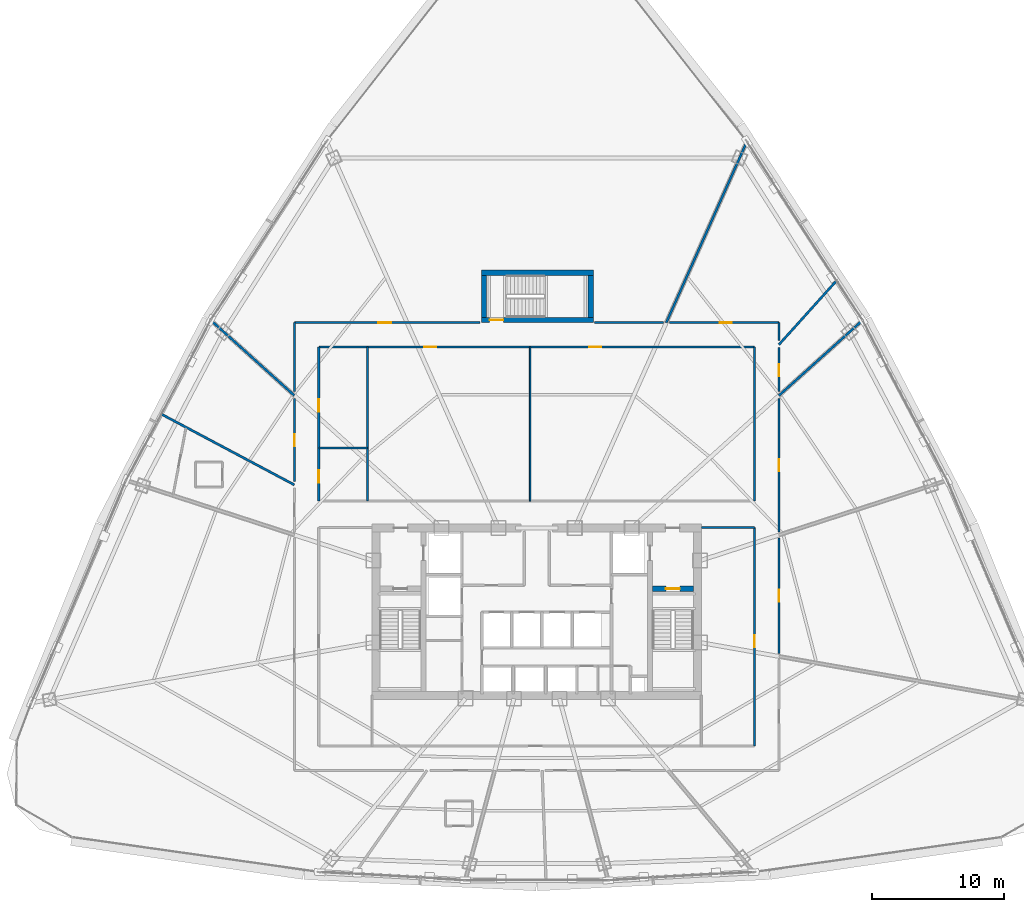
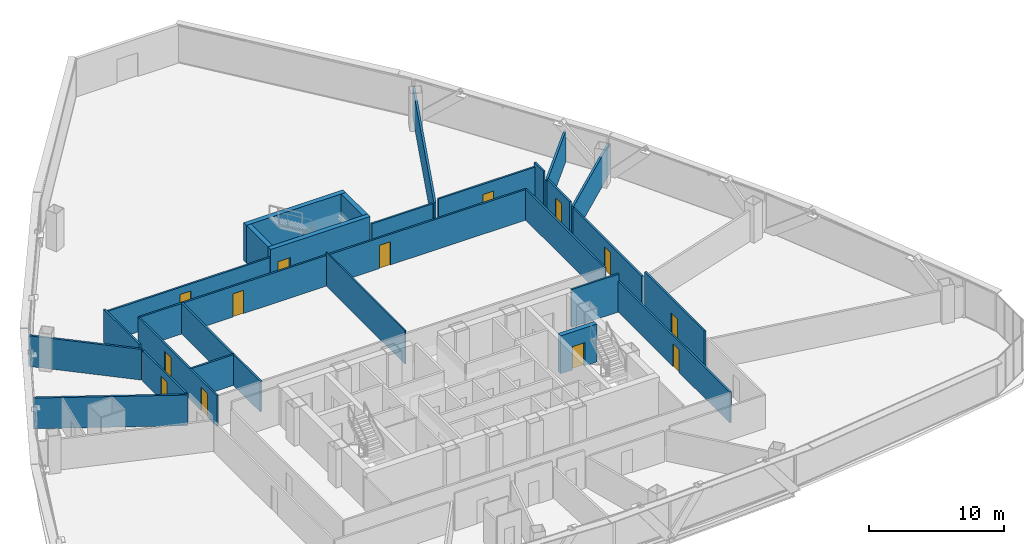
# One storey, part 35 of 40: 27 walls, 13 doors, 13 openings.
"""IFC4 building model written with IfcOpenShell, lengths in metres."""

import ifcopenshell
import ifcopenshell.guid

model = None  # the IFC model being written
_history = None  # IfcOwnerHistory: only IFC2X3 demands one
_inside = {}  # id of a spatial element -> (the spatial element, [elements in it])
_under = {}  # id of a project, library or spatial element -> (it, [spatial elements below it])
_declared = {}  # id of a project -> (the project, [libraries it declares])
_typed = {}  # id of a type object -> (the type object, [elements of that type])
_made_of = {}  # id of a material, layer set ... -> (it, [elements and type objects made of it])


def new_model(schema):
    """Start an empty IFC model of exactly this schema.

    Asked for "IFC4X3", IfcOpenShell would pick the latest addendum, in which some entities
    have other attributes; the version numbers below select the first issue.
    IFC2X3 requires an IfcOwnerHistory on every rooted entity: one is made here for all.
    """
    global model, _history
    if schema == "IFC4X3":
        model = ifcopenshell.file(schema_version=(4, 3, 0, 0))
    else:
        model = ifcopenshell.file(schema=schema)
    _inside.clear()
    _under.clear()
    _declared.clear()
    _typed.clear()
    _made_of.clear()
    _history = None
    if model.schema == "IFC2X3":
        org = make("IfcOrganization", Name="unknown")
        user = make(
            "IfcPersonAndOrganization",
            ThePerson=make("IfcPerson", FamilyName="unknown"),
            TheOrganization=org,
        )
        app = make(
            "IfcApplication",
            ApplicationDeveloper=org,
            Version="unknown",
            ApplicationFullName="unknown",
            ApplicationIdentifier="unknown",
        )
        _history = make(
            "IfcOwnerHistory",
            OwningUser=user,
            OwningApplication=app,
            ChangeAction="ADDED",
            CreationDate=0,
        )
    return model


def make(cls, **values):
    """One entity of the class cls with the attributes given. An attribute that is None is left unset."""
    return model.create_entity(
        cls, **{name: value for name, value in values.items() if value is not None}
    )


def rooted(cls, **values):
    """An entity with a GlobalId (a new one), such as an element, a storey or a relation."""
    return make(cls, GlobalId=ifcopenshell.guid.new(), OwnerHistory=_history, **values)


def si_unit(unit_type, name, prefix=None):
    """IfcSIUnit, for example si_unit("LENGTHUNIT", "METRE", prefix="MILLI")."""
    return make("IfcSIUnit", UnitType=unit_type, Prefix=prefix, Name=name)


def assignment(units):
    """IfcUnitAssignment: the units of a project."""
    return None if units is None else make("IfcUnitAssignment", Units=units)


def point(xyz):
    """IfcCartesianPoint."""
    return None if xyz is None else make("IfcCartesianPoint", Coordinates=xyz)


def direction(xyz):
    """IfcDirection."""
    return None if xyz is None else make("IfcDirection", DirectionRatios=xyz)


def frame(location, z_axis=None, x_axis=None):
    """IfcAxis2Placement3D, a coordinate frame: its origin and axes. An axis left out is left unset."""
    return make(
        "IfcAxis2Placement3D",
        Location=point(location),
        Axis=direction(z_axis),
        RefDirection=direction(x_axis),
    )


def frame_2d(location, x_axis=None):
    """IfcAxis2Placement2D, a coordinate frame in the plane: its origin and x axis."""
    return make(
        "IfcAxis2Placement2D", Location=point(location), RefDirection=direction(x_axis)
    )


def origin():
    """The frame at (0, 0, 0) with its axes left unset."""
    return frame((0.0, 0.0, 0.0))


def origin_with_axes():
    """The frame at (0, 0, 0) with the z axis (0, 0, 1) and the x axis (1, 0, 0) written out."""
    return frame((0.0, 0.0, 0.0), z_axis=(0.0, 0.0, 1.0), x_axis=(1.0, 0.0, 0.0))


def place(relative_to, where):
    """IfcLocalPlacement: puts the frame where relative to a parent placement (None: the world)."""
    return make(
        "IfcLocalPlacement", PlacementRelTo=relative_to, RelativePlacement=where
    )


def context(
    kind, dimensions, precision=None, world=None, true_north=None, identifier=None
):
    """IfcGeometricRepresentationContext, for example the 3D "Model" context."""
    return make(
        "IfcGeometricRepresentationContext",
        ContextIdentifier=identifier,
        ContextType=kind,
        CoordinateSpaceDimension=dimensions,
        Precision=precision,
        WorldCoordinateSystem=world,
        TrueNorth=true_north,
    )


def subcontext(parent, identifier, kind, view, scale=None):
    """IfcGeometricRepresentationSubContext, for example "Body" below "Model"."""
    return make(
        "IfcGeometricRepresentationSubContext",
        ContextIdentifier=identifier,
        ContextType=kind,
        ParentContext=parent,
        TargetScale=scale,
        TargetView=view,
    )


def project(units=None, contexts=None):
    """IfcProject with its units and contexts."""
    return rooted(
        "IfcProject",
        Name="project",
        RepresentationContexts=contexts,
        UnitsInContext=assignment(units),
    )


def spatial(cls, under=None, at=None, **own):
    """A site, building, storey or space (cls), placed at a placement, below another one or the project."""
    s = rooted(cls, ObjectPlacement=at, **own)
    if under is not None:
        _under.setdefault(under.id(), (under, []))[1].append(s)
    return s


def profile(cls, at=None, kind="AREA", **sizes):
    """A parametric profile (cls). Its sizes go by their IFC names, for example OverallWidth=200.0."""
    return make(cls, ProfileType=kind, Position=at, **sizes)


def rectangle(**sizes):
    """IfcRectangleProfileDef."""
    return profile("IfcRectangleProfileDef", **sizes)


def extrude(swept, where, along, depth):
    """IfcExtrudedAreaSolid: the profile swept, set in the frame where, extruded along a direction by depth."""
    return make(
        "IfcExtrudedAreaSolid",
        SweptArea=swept,
        Position=where,
        ExtrudedDirection=direction(along),
        Depth=depth,
    )


def shape(context_of_items, identifier, shape_type, items):
    """IfcShapeRepresentation: the items that make up one representation, for example the "Body"."""
    return make(
        "IfcShapeRepresentation",
        ContextOfItems=context_of_items,
        RepresentationIdentifier=identifier,
        RepresentationType=shape_type,
        Items=items,
    )


def source(mapping_origin, context_of_items, identifier, shape_type, items):
    """IfcRepresentationMap: a shape defined once, which mapped items show again and again."""
    return make(
        "IfcRepresentationMap",
        MappingOrigin=mapping_origin,
        MappedRepresentation=shape(context_of_items, identifier, shape_type, items),
    )


def transform(
    local_origin,
    x_axis=None,
    y_axis=None,
    z_axis=None,
    scale=None,
    scale2=None,
    scale3=None,
    uniform=True,
):
    """IfcCartesianTransformationOperator3D, or its non-uniform kind. x_axis, y_axis, z_axis: its Axis1, 2, 3."""
    if uniform:
        return make(
            "IfcCartesianTransformationOperator3D",
            Axis1=direction(x_axis),
            Axis2=direction(y_axis),
            LocalOrigin=point(local_origin),
            Scale=scale,
            Axis3=direction(z_axis),
        )
    return make(
        "IfcCartesianTransformationOperator3DnonUniform",
        Axis1=direction(x_axis),
        Axis2=direction(y_axis),
        LocalOrigin=point(local_origin),
        Scale=scale,
        Axis3=direction(z_axis),
        Scale2=scale2,
        Scale3=scale3,
    )


def mapped(mapping_source, mapping_target):
    """IfcMappedItem: shows the shape of a source again, moved by a transform."""
    return make(
        "IfcMappedItem", MappingSource=mapping_source, MappingTarget=mapping_target
    )


def material(Name=None, Category=None):
    """IfcMaterial."""
    return make("IfcMaterial", Name=Name, Category=Category)


def layer(
    of_material, thickness, ventilated=None, Name=None, Category=None, Priority=None
):
    """IfcMaterialLayer: one layer of a wall or slab, of a material (None: an air gap)."""
    return make(
        "IfcMaterialLayer",
        Material=of_material,
        LayerThickness=thickness,
        IsVentilated=ventilated,
        Name=Name,
        Category=Category,
        Priority=Priority,
    )


def layer_set(layers, Name=None):
    """IfcMaterialLayerSet."""
    return make("IfcMaterialLayerSet", MaterialLayers=layers, LayerSetName=Name)


def made_of(thing, what):
    """Note that an element or type object is made of a material, layer set ...; save() writes the relation."""
    if what is not None:
        _made_of.setdefault(what.id(), (what, []))[1].append(thing)
    return thing


def type_object(cls, material=None, **own):
    """A type object (cls), such as IfcWallType, which elements share."""
    return made_of(rooted(cls, **own), material)


def element(
    cls,
    number,
    at=None,
    inside=None,
    cuts=None,
    type_object=None,
    material=None,
    context=None,
    identifier="Body",
    shape_type=None,
    held_by="IfcProductDefinitionShape",
    body=None,
    shapes=None,
    **own,
):
    """One element of the class cls, such as IfcWall. Its Tag is "e" and its number.

    at: its placement. inside: the storey or other place that contains it. cuts: it is an
    opening in that element (IfcRelVoidsElement). A single representation is given by context,
    identifier, shape_type and body (its items); several are given by shapes. held_by: the class
    of the entity that holds the representations. save() writes the other relations.
    """
    e = rooted(cls, Tag="e%d" % number, ObjectPlacement=at, **own)
    if body is not None:
        shapes = [shape(context, identifier, shape_type, body)]
    if shapes is not None:
        e.Representation = make(held_by, Representations=shapes)
    if inside is not None:
        _inside.setdefault(inside.id(), (inside, []))[1].append(e)
    if cuts is not None:
        rooted(
            "IfcRelVoidsElement", RelatingBuildingElement=cuts, RelatedOpeningElement=e
        )
    if type_object is not None:
        _typed.setdefault(type_object.id(), (type_object, []))[1].append(e)
    return made_of(e, material)


def fill(opening, filler):
    """IfcRelFillsElement: the door or window that sits in an opening."""
    return rooted(
        "IfcRelFillsElement",
        RelatingOpeningElement=opening,
        RelatedBuildingElement=filler,
    )


def aggregate(whole, parts):
    """IfcRelAggregates: a whole, such as a stair, and the parts it consists of."""
    return rooted("IfcRelAggregates", RelatingObject=whole, RelatedObjects=parts)


def save(model, path):
    """Write the relations noted so far, then the file.

    IfcRelAggregates (storeys below a building ...), IfcRelContainedInSpatialStructure (elements
    in a storey), IfcRelDefinesByType, IfcRelAssociatesMaterial and IfcRelDeclares: one each for
    every whole, place, type object, material and project.
    """
    for whole, parts in _under.values():
        aggregate(whole, parts)
    for where, things in _inside.values():
        rooted(
            "IfcRelContainedInSpatialStructure",
            RelatedElements=things,
            RelatingStructure=where,
        )
    for kind, things in _typed.values():
        rooted("IfcRelDefinesByType", RelatedObjects=things, RelatingType=kind)
    for what, things in _made_of.values():
        rooted("IfcRelAssociatesMaterial", RelatedObjects=things, RelatingMaterial=what)
    for by, libraries in _declared.values():
        rooted("IfcRelDeclares", RelatingContext=by, RelatedDefinitions=libraries)
    model.write(path)


model = new_model("IFC4")

# Units and contexts
model_context = context("Model", 3, precision=1e-05, world=origin(), true_north=direction((0.0, 1.0)))
body_context = subcontext(model_context, "Body", "Model", "MODEL_VIEW")
ifc_project = project(units=[si_unit("LENGTHUNIT", "METRE"), si_unit("AREAUNIT", "SQUARE_METRE"), si_unit("VOLUMEUNIT", "CUBIC_METRE"), si_unit("PLANEANGLEUNIT", "RADIAN"), si_unit("MASSUNIT", "GRAM", prefix="KILO"), si_unit("THERMODYNAMICTEMPERATUREUNIT", "KELVIN"), si_unit("POWERUNIT", "WATT")], contexts=[model_context])

# Site, building, storey
site_placement = place(None, origin())
site = spatial("IfcSite", under=ifc_project, at=site_placement, CompositionType="ELEMENT")
building_placement = place(site_placement, origin())
building = spatial("IfcBuilding", under=site, at=building_placement, Name="Yunzhuo Pagoda Commons", CompositionType="ELEMENT")
storey_placement = place(building_placement, frame((0.0, 0.0, 159.27001953125)))
storey = spatial("IfcBuildingStorey", under=building, at=storey_placement, Name="L40", CompositionType="ELEMENT", Elevation=159.27001953125)

# Wall, openings, doors
ifc_material_1 = material(Name="Gypsum plasterboard on acoustic stud")
ifc_layer_1 = layer(ifc_material_1, 0.155029296875)
ifc_layer_set_1 = layer_set([ifc_layer_1], Name="Gypsum plasterboard on acoustic stud")
wall_type_1 = type_object("IfcWallType", Name="W-COR2 Mid-Zone Rated Corridor Wall 155", PredefinedType="PARTITIONING", material=ifc_layer_set_1)
wall_1_placement = place(storey_placement, frame((31.449951171875, 53.949951171875, 0.0), z_axis=(0.0, 0.0, 1.0), x_axis=(1.0, 0.0, 0.0)))
wall_1 = element("IfcWall", 1, at=wall_1_placement, inside=storey, type_object=wall_type_1, Name="L40 interior wall IW-L40-MCNN", PredefinedType="PARTITIONING", context=body_context, shape_type="SweptSolid", body=[
    extrude(rectangle(XDim=33.10009765625, YDim=0.155029296875, at=frame_2d((16.550048828125, 0.0))), origin(), (0.0, 0.0, 1.0), 2.77001953125),
])
opening_1_placement = place(wall_1_placement, frame((8.0, 0.0, 0.0)))
opening_1 = element("IfcOpeningElement", 2, at=opening_1_placement, cuts=wall_1, Name="Opening D-04", PredefinedType="OPENING", context=body_context, shape_type="SweptSolid", body=[
    extrude(rectangle(XDim=0.919921875, YDim=2.10009765625, at=frame_2d((0.4599609375, 1.050048828125))), frame((0.0, 0.08740234375, 0.0), z_axis=(0.0, -1.0, 0.0), x_axis=(1.0, 0.0, 0.0)), (0.0, 0.0, 1.0), 0.175048828125),
])
opening_2_placement = place(wall_1_placement, frame((20.550048828125, 0.0, 0.0)))
opening_2 = element("IfcOpeningElement", 3, at=opening_2_placement, cuts=wall_1, Name="Opening D-04", PredefinedType="OPENING", context=body_context, shape_type="SweptSolid", body=[
    extrude(rectangle(XDim=0.919921875, YDim=2.10009765625, at=frame_2d((0.4599609375, 1.050048828125))), frame((0.0, 0.08740234375, 0.0), z_axis=(0.0, -1.0, 0.0), x_axis=(1.0, 0.0, 0.0)), (0.0, 0.0, 1.0), 0.175048828125),
])
ifc_material_2 = material(Name="Powder-coated aluminium and timber acoustic leaf", Category="wood")
door_type_1 = type_object("IfcDoorType", Name="D-04 Bedroom & Study Interior Door 920x2100", OperationType="NOTDEFINED", PredefinedType="DOOR", material=ifc_material_2)
shared_shape_1 = source(origin(), body_context, "Body", "SweptSolid", [
    extrude(rectangle(XDim=0.919921875, YDim=2.10009765625, at=frame_2d((0.4599609375, 1.050048828125))), frame((0.0, 0.02490234375, 0.0), z_axis=(0.0, -1.0, 0.0), x_axis=(1.0, 0.0, 0.0)), (0.0, 0.0, 1.0), 0.050048828125),
])
door_1_placement = place(opening_1_placement, origin_with_axes())
door_1 = element("IfcDoor", 4, at=door_1_placement, inside=storey, type_object=door_type_1, Name="L40 reading commons door", OperationType="SINGLE_SWING_LEFT", OverallHeight=2.10009765625, OverallWidth=0.919921875, PredefinedType="DOOR", context=body_context, shape_type="MappedRepresentation", body=[
    mapped(shared_shape_1, transform((0.0, 0.0, 0.0), scale=1.0)),
])
fill(opening_1, door_1)
door_2_placement = place(opening_2_placement, origin_with_axes())
door_2 = element("IfcDoor", 5, at=door_2_placement, inside=storey, type_object=door_type_1, Name="L40 seminar commons door", OperationType="SINGLE_SWING_RIGHT", OverallHeight=2.10009765625, OverallWidth=0.919921875, PredefinedType="DOOR", context=body_context, shape_type="MappedRepresentation", body=[
    mapped(shared_shape_1, transform((0.0, 0.0, 0.0), scale=1.0)),
])
fill(opening_2, door_2)

wall_2_placement = place(storey_placement, frame((31.449951171875, 42.25, 0.0), z_axis=(0.0, 0.0, 1.0), x_axis=(0.0, 1.0, 0.0)))
wall_2 = element("IfcWall", 6, at=wall_2_placement, inside=storey, type_object=wall_type_1, Name="L40 interior wall IW-L40-MCNW", PredefinedType="PARTITIONING", context=body_context, shape_type="SweptSolid", body=[
    extrude(rectangle(XDim=11.699951171875, YDim=0.155029296875, at=frame_2d((5.85009765625, 0.0))), origin(), (0.0, 0.0, 1.0), 2.77001953125),
])
opening_3_placement = place(wall_2_placement, frame((1.39990234375, 0.0, 0.0)))
opening_3 = element("IfcOpeningElement", 7, at=opening_3_placement, cuts=wall_2, Name="Opening D-11", PredefinedType="OPENING", context=body_context, shape_type="SweptSolid", body=[
    extrude(rectangle(XDim=0.93994140625, YDim=2.10009765625, at=frame_2d((0.469970703125, 1.050048828125))), frame((0.0, 0.08740234375, 0.0), z_axis=(0.0, -1.0, 0.0), x_axis=(1.0, 0.0, 0.0)), (0.0, 0.0, 1.0), 0.175048828125),
])
opening_4_placement = place(wall_2_placement, frame((6.800048828125, 0.0, 0.0)))
opening_4 = element("IfcOpeningElement", 8, at=opening_4_placement, cuts=wall_2, Name="Opening D-04", PredefinedType="OPENING", context=body_context, shape_type="SweptSolid", body=[
    extrude(rectangle(XDim=0.919921875, YDim=2.10009765625, at=frame_2d((0.4599609375, 1.050048828125))), frame((0.0, 0.08740234375, 0.0), z_axis=(0.0, -1.0, 0.0), x_axis=(1.0, 0.0, 0.0)), (0.0, 0.0, 1.0), 0.175048828125),
])
ifc_material_3 = material(Name="Galvanized fire-resisting metal leaf")
door_type_2 = type_object("IfcDoorType", Name="D-11 Accessible Washroom Fire Door 940x2100", OperationType="NOTDEFINED", PredefinedType="DOOR", material=ifc_material_3)
shared_shape_2 = source(origin(), body_context, "Body", "SweptSolid", [
    extrude(rectangle(XDim=0.93994140625, YDim=2.10009765625, at=frame_2d((0.469970703125, 1.050048828125))), frame((0.0, 0.02490234375, 0.0), z_axis=(0.0, -1.0, 0.0), x_axis=(1.0, 0.0, 0.0)), (0.0, 0.0, 1.0), 0.050048828125),
])
door_3_placement = place(opening_3_placement, origin_with_axes())
door_3 = element("IfcDoor", 9, at=door_3_placement, inside=storey, type_object=door_type_2, Name="L40 accessible WC door", OperationType="SINGLE_SWING_LEFT", OverallHeight=2.10009765625, OverallWidth=0.93994140625, PredefinedType="DOOR", context=body_context, shape_type="MappedRepresentation", body=[
    mapped(shared_shape_2, transform((0.0, 0.0, 0.0), scale=1.0)),
])
fill(opening_3, door_3)
door_4_placement = place(opening_4_placement, origin_with_axes())
door_4 = element("IfcDoor", 10, at=door_4_placement, inside=storey, type_object=door_type_1, Name="L40 laundry door", OperationType="SINGLE_SWING_RIGHT", OverallHeight=2.10009765625, OverallWidth=0.919921875, PredefinedType="DOOR", context=body_context, shape_type="MappedRepresentation", body=[
    mapped(shared_shape_1, transform((0.0, 0.0, 0.0), scale=1.0)),
])
fill(opening_4, door_4)

# Walls
for number, where, z_axis, x_axis, name in (
    (11, (64.550048828125, 42.25, 0.0), (0.0, 0.0, 1.0), (0.0, 1.0, 0.0), "L40 interior wall IW-L40-MCNE"),
    (12, (35.14990234375, 42.25, 0.0), (0.0, 0.0, 1.0), (0.0, 1.0, 0.0), "L40 interior wall IW-L40-MCWCE"),
):
    element("IfcWall", number, at=place(storey_placement, frame(where, z_axis=z_axis, x_axis=x_axis)), inside=storey, type_object=wall_type_1, Name=name, PredefinedType="PARTITIONING", context=body_context, shape_type="SweptSolid", body=[
        extrude(rectangle(XDim=11.699951171875, YDim=0.155029296875, at=frame_2d((5.85009765625, 0.0))), origin(), (0.0, 0.0, 1.0), 2.77001953125),
    ])
wall_3_placement = place(storey_placement, frame((31.449951171875, 46.300048828125, 0.0), z_axis=(0.0, 0.0, 1.0), x_axis=(1.0, 0.0, 0.0)))
element("IfcWall", 13, at=wall_3_placement, inside=storey, type_object=wall_type_1, Name="L40 interior wall IW-L40-MCWCN", PredefinedType="PARTITIONING", context=body_context, shape_type="SweptSolid", body=[
    extrude(rectangle(XDim=3.699951171875, YDim=0.155029296875, at=frame_2d((1.85009765625, 0.0))), origin(), (0.0, 0.0, 1.0), 2.77001953125),
])

# Wall, opening, door
wall_4_placement = place(storey_placement, frame((64.550048828125, 23.64990234375, 0.0), z_axis=(0.0, 0.0, 1.0), x_axis=(0.0, 1.0, 0.0)))
wall_4 = element("IfcWall", 14, at=wall_4_placement, inside=storey, type_object=wall_type_1, Name="L40 interior wall IW-L40-SFLE", PredefinedType="PARTITIONING", context=body_context, shape_type="SweptSolid", body=[
    extrude(rectangle(XDim=16.60009765625, YDim=0.155029296875, at=frame_2d((8.300048828125, 0.0))), origin(), (0.0, 0.0, 1.0), 2.77001953125),
])
opening_5_placement = place(wall_4_placement, frame((7.5, 0.0, 0.0)))
opening_5 = element("IfcOpeningElement", 15, at=opening_5_placement, cuts=wall_4, Name="Opening D-12", PredefinedType="OPENING", context=body_context, shape_type="SweptSolid", body=[
    extrude(rectangle(XDim=0.89990234375, YDim=2.080078125, at=frame_2d((0.449951171875, 1.0400390625))), frame((0.0, 0.08740234375, 0.0), z_axis=(0.0, -1.0, 0.0), x_axis=(1.0, 0.0, 0.0)), (0.0, 0.0, 1.0), 0.175048828125),
])
door_type_3 = type_object("IfcDoorType", Name="D-12 Quiet Study Interior Door 900x2080", OperationType="NOTDEFINED", PredefinedType="DOOR", material=ifc_material_2)
shared_shape_3 = source(origin(), body_context, "Body", "SweptSolid", [
    extrude(rectangle(XDim=0.89990234375, YDim=2.080078125, at=frame_2d((0.449951171875, 1.0400390625))), frame((0.0, 0.02490234375, 0.0), z_axis=(0.0, -1.0, 0.0), x_axis=(1.0, 0.0, 0.0)), (0.0, 0.0, 1.0), 0.050048828125),
])
door_5_placement = place(opening_5_placement, frame((0.89990234375, 0.0, 0.0), z_axis=(0.0, 0.0, 1.0), x_axis=(-1.0, 0.0, 0.0)))
door_5 = element("IfcDoor", 16, at=door_5_placement, inside=storey, type_object=door_type_3, Name="L40 east study workroom door", OperationType="SINGLE_SWING_RIGHT", OverallHeight=2.080078125, OverallWidth=0.89990234375, PredefinedType="DOOR", context=body_context, shape_type="MappedRepresentation", body=[
    mapped(shared_shape_3, transform((0.0, 0.0, 0.0), scale=1.0)),
])
fill(opening_5, door_5)

# Wall
wall_5_placement = place(storey_placement, frame((60.5, 40.25, 0.0), z_axis=(0.0, 0.0, 1.0), x_axis=(1.0, 0.0, 0.0)))
element("IfcWall", 17, at=wall_5_placement, inside=storey, type_object=wall_type_1, Name="L40 interior wall IW-L40-SFLNE", PredefinedType="PARTITIONING", context=body_context, shape_type="SweptSolid", body=[
    extrude(rectangle(XDim=4.050048828125, YDim=0.155029296875, at=frame_2d((2.02490234375, 0.0))), origin(), (0.0, 0.0, 1.0), 3.419921875),
])

# Wall, opening, door
wall_6_placement = place(storey_placement, frame((29.60009765625, 43.732666015625, 0.0), z_axis=(0.0, 0.0, 1.0), x_axis=(0.0, 1.0, 0.0)))
wall_6 = element("IfcWall", 18, at=wall_6_placement, inside=storey, type_object=wall_type_1, Name="L40 interior wall IW-L40-CWL03", PredefinedType="PARTITIONING", context=body_context, shape_type="SweptSolid", body=[
    extrude(rectangle(XDim=6.31494140625, YDim=0.155029296875, at=frame_2d((3.157470703125, 0.0))), origin(), (0.0, 0.0, 1.0), 2.77001953125),
])
opening_6_placement = place(wall_6_placement, frame((2.6826171875, 0.0, 0.0)))
opening_6 = element("IfcOpeningElement", 19, at=opening_6_placement, cuts=wall_6, Name="Opening D-04", PredefinedType="OPENING", context=body_context, shape_type="SweptSolid", body=[
    extrude(rectangle(XDim=0.919921875, YDim=2.10009765625, at=frame_2d((0.4599609375, 1.050048828125))), frame((0.0, 0.08740234375, 0.0), z_axis=(0.0, -1.0, 0.0), x_axis=(1.0, 0.0, 0.0)), (0.0, 0.0, 1.0), 0.175048828125),
])
door_6_placement = place(opening_6_placement, origin_with_axes())
door_6 = element("IfcDoor", 20, at=door_6_placement, inside=storey, type_object=door_type_1, Name="L40 seminar room 06 door", OperationType="SINGLE_SWING_RIGHT", OverallHeight=2.10009765625, OverallWidth=0.919921875, PredefinedType="DOOR", context=body_context, shape_type="MappedRepresentation", body=[
    mapped(shared_shape_1, transform((0.0, 0.0, 0.0), scale=1.0)),
])
fill(opening_6, door_6)

# Wall
wall_7_placement = place(storey_placement, frame((29.60009765625, 50.5634765625, 0.0), z_axis=(0.0, 0.0, 1.0), x_axis=(0.0, 1.0, 0.0)))
element("IfcWall", 21, at=wall_7_placement, inside=storey, type_object=wall_type_1, Name="L40 interior wall IW-L40-CWL04", PredefinedType="PARTITIONING", context=body_context, shape_type="SweptSolid", body=[
    extrude(rectangle(XDim=5.236572265625, YDim=0.155029296875, at=frame_2d((2.6181640625, 0.0))), origin(), (0.0, 0.0, 1.0), 3.02001953125),
])

# Wall, opening, door
wall_8_placement = place(storey_placement, frame((29.60009765625, 55.800048828125, 0.0), z_axis=(0.0, 0.0, 1.0), x_axis=(1.0, 0.0, 0.0)))
wall_8 = element("IfcWall", 22, at=wall_8_placement, inside=storey, type_object=wall_type_1, Name="L40 interior wall IW-L40-CWL05", PredefinedType="PARTITIONING", context=body_context, shape_type="SweptSolid", body=[
    extrude(rectangle(XDim=14.10888671875, YDim=0.155029296875, at=frame_2d((7.054443359375, 0.0))), origin(), (0.0, 0.0, 1.0), 2.77001953125),
])
opening_7_placement = place(wall_8_placement, frame((6.385009765625, 0.0, 0.0)))
opening_7 = element("IfcOpeningElement", 23, at=opening_7_placement, cuts=wall_8, Name="Opening D-07", PredefinedType="OPENING", context=body_context, shape_type="SweptSolid", body=[
    extrude(rectangle(XDim=0.9599609375, YDim=2.1201171875, at=frame_2d((0.47998046875, 1.06005859375))), frame((0.0, 0.08740234375, 0.0), z_axis=(0.0, -1.0, 0.0), x_axis=(1.0, 0.0, 0.0)), (0.0, 0.0, 1.0), 0.175048828125),
])
door_type_4 = type_object("IfcDoorType", Name="D-07 Mid-Zone Suite Entrance Fire Door 960x2120", OperationType="NOTDEFINED", PredefinedType="DOOR", material=ifc_material_3)
shared_shape_4 = source(origin(), body_context, "Body", "SweptSolid", [
    extrude(rectangle(XDim=0.9599609375, YDim=2.1201171875, at=frame_2d((0.47998046875, 1.06005859375))), frame((0.0, 0.02490234375, 0.0), z_axis=(0.0, -1.0, 0.0), x_axis=(1.0, 0.0, 0.0)), (0.0, 0.0, 1.0), 0.050048828125),
])
door_7_placement = place(opening_7_placement, origin_with_axes())
door_7 = element("IfcDoor", 24, at=door_7_placement, inside=storey, type_object=door_type_4, Name="L40 Shared Resident Kitchen and Pantry door", OperationType="SINGLE_SWING_LEFT", OverallHeight=2.1201171875, OverallWidth=0.9599609375, PredefinedType="DOOR", context=body_context, shape_type="MappedRepresentation", body=[
    mapped(shared_shape_4, transform((0.0, 0.0, 0.0), scale=1.0)),
])
fill(opening_7, door_7)

# Wall
wall_9_placement = place(storey_placement, frame((52.39111328125, 55.800048828125, 0.0), z_axis=(0.0, 0.0, 1.0), x_axis=(1.0, 0.0, 0.0)))
element("IfcWall", 25, at=wall_9_placement, inside=storey, type_object=wall_type_1, Name="L40 interior wall IW-L40-CWL06", PredefinedType="PARTITIONING", context=body_context, shape_type="SweptSolid", body=[
    extrude(rectangle(XDim=5.228759765625, YDim=0.155029296875, at=frame_2d((2.6142578125, 0.0))), origin(), (0.0, 0.0, 1.0), 2.77001953125),
])

# Wall, opening, door
wall_10_placement = place(storey_placement, frame((58.080322265625, 55.800048828125, 0.0), z_axis=(0.0, 0.0, 1.0), x_axis=(1.0, 0.0, 0.0)))
wall_10 = element("IfcWall", 26, at=wall_10_placement, inside=storey, type_object=wall_type_1, Name="L40 interior wall IW-L40-CWL07", PredefinedType="PARTITIONING", context=body_context, shape_type="SweptSolid", body=[
    extrude(rectangle(XDim=8.319580078125, YDim=0.155029296875, at=frame_2d((4.15966796875, 0.0))), origin(), (0.0, 0.0, 1.0), 3.02001953125),
])
opening_8_placement = place(wall_10_placement, frame((3.809326171875, 0.0, 0.0)))
opening_8 = element("IfcOpeningElement", 27, at=opening_8_placement, cuts=wall_10, Name="Opening D-04", PredefinedType="OPENING", context=body_context, shape_type="SweptSolid", body=[
    extrude(rectangle(XDim=0.919921875, YDim=2.10009765625, at=frame_2d((0.4599609375, 1.050048828125))), frame((0.0, 0.08740234375, 0.0), z_axis=(0.0, -1.0, 0.0), x_axis=(1.0, 0.0, 0.0)), (0.0, 0.0, 1.0), 0.175048828125),
])
door_8_placement = place(opening_8_placement, origin_with_axes())
door_8 = element("IfcDoor", 28, at=door_8_placement, inside=storey, type_object=door_type_1, Name="L40 seminar room 04 door", OperationType="SINGLE_SWING_RIGHT", OverallHeight=2.10009765625, OverallWidth=0.919921875, PredefinedType="DOOR", context=body_context, shape_type="MappedRepresentation", body=[
    mapped(shared_shape_1, transform((0.0, 0.0, 0.0), scale=1.0)),
])
fill(opening_8, door_8)

# Wall
wall_11_placement = place(storey_placement, frame((66.39990234375, 55.800048828125, 0.0), z_axis=(0.0, 0.0, 1.0), x_axis=(0.0, -1.0, 0.0)))
element("IfcWall", 29, at=wall_11_placement, inside=storey, type_object=wall_type_1, Name="L40 interior wall IW-L40-CWL08", PredefinedType="PARTITIONING", context=body_context, shape_type="SweptSolid", body=[
    extrude(rectangle(XDim=1.3359375, YDim=0.155029296875, at=frame_2d((0.66796875, 0.0))), origin(), (0.0, 0.0, 1.0), 3.419921875),
])

# Wall, opening, door
wall_12_placement = place(storey_placement, frame((66.39990234375, 53.91552734375, 0.0), z_axis=(0.0, 0.0, 1.0), x_axis=(0.0, -1.0, 0.0)))
wall_12 = element("IfcWall", 30, at=wall_12_placement, inside=storey, type_object=wall_type_1, Name="L40 interior wall IW-L40-CWL09", PredefinedType="PARTITIONING", context=body_context, shape_type="SweptSolid", body=[
    extrude(rectangle(XDim=3.35205078125, YDim=0.155029296875, at=frame_2d((1.676025390625, 0.0))), origin(), (0.0, 0.0, 1.0), 3.02001953125),
])
opening_9_placement = place(wall_12_placement, frame((1.254150390625, 0.0, 0.0)))
opening_9 = element("IfcOpeningElement", 31, at=opening_9_placement, cuts=wall_12, Name="Opening D-04", PredefinedType="OPENING", context=body_context, shape_type="SweptSolid", body=[
    extrude(rectangle(XDim=0.919921875, YDim=2.10009765625, at=frame_2d((0.4599609375, 1.050048828125))), frame((0.0, 0.08740234375, 0.0), z_axis=(0.0, -1.0, 0.0), x_axis=(1.0, 0.0, 0.0)), (0.0, 0.0, 1.0), 0.175048828125),
])
door_9_placement = place(opening_9_placement, origin_with_axes())
door_9 = element("IfcDoor", 32, at=door_9_placement, inside=storey, type_object=door_type_1, Name="L40 seminar room 03 door", OperationType="SINGLE_SWING_LEFT", OverallHeight=2.10009765625, OverallWidth=0.919921875, PredefinedType="DOOR", context=body_context, shape_type="MappedRepresentation", body=[
    mapped(shared_shape_1, transform((0.0, 0.0, 0.0), scale=1.0)),
])
fill(opening_9, door_9)

wall_13_placement = place(storey_placement, frame((66.39990234375, 50.047607421875, 0.0), z_axis=(0.0, 0.0, 1.0), x_axis=(0.0, -1.0, 0.0)))
wall_13 = element("IfcWall", 33, at=wall_13_placement, inside=storey, type_object=wall_type_1, Name="L40 interior wall IW-L40-CWL10", PredefinedType="PARTITIONING", context=body_context, shape_type="SweptSolid", body=[
    extrude(rectangle(XDim=10.1376953125, YDim=0.155029296875, at=frame_2d((5.06884765625, 0.0))), origin(), (0.0, 0.0, 1.0), 2.77001953125),
])
opening_10_placement = place(wall_13_placement, frame((4.61474609375, 0.0, 0.0)))
opening_10 = element("IfcOpeningElement", 34, at=opening_10_placement, cuts=wall_13, Name="Opening D-04", PredefinedType="OPENING", context=body_context, shape_type="SweptSolid", body=[
    extrude(rectangle(XDim=0.919921875, YDim=2.10009765625, at=frame_2d((0.4599609375, 1.050048828125))), frame((0.0, 0.08740234375, 0.0), z_axis=(0.0, -1.0, 0.0), x_axis=(1.0, 0.0, 0.0)), (0.0, 0.0, 1.0), 0.175048828125),
])
door_10_placement = place(opening_10_placement, origin_with_axes())
door_10 = element("IfcDoor", 35, at=door_10_placement, inside=storey, type_object=door_type_1, Name="L40 seminar room 02 door", OperationType="SINGLE_SWING_RIGHT", OverallHeight=2.10009765625, OverallWidth=0.919921875, PredefinedType="DOOR", context=body_context, shape_type="MappedRepresentation", body=[
    mapped(shared_shape_1, transform((0.0, 0.0, 0.0), scale=1.0)),
])
fill(opening_10, door_10)

wall_14_placement = place(storey_placement, frame((66.39990234375, 39.458740234375, 0.0), z_axis=(0.0, 0.0, 1.0), x_axis=(0.0, -1.0, 0.0)))
wall_14 = element("IfcWall", 36, at=wall_14_placement, inside=storey, type_object=wall_type_1, Name="L40 interior wall IW-L40-CWL11", PredefinedType="PARTITIONING", context=body_context, shape_type="SweptSolid", body=[
    extrude(rectangle(XDim=8.783447265625, YDim=0.155029296875, at=frame_2d((4.3916015625, 0.0))), origin(), (0.0, 0.0, 1.0), 3.419921875),
])
opening_11_placement = place(wall_14_placement, frame((3.931640625, 0.0, 0.0)))
opening_11 = element("IfcOpeningElement", 37, at=opening_11_placement, cuts=wall_14, Name="Opening D-04", PredefinedType="OPENING", context=body_context, shape_type="SweptSolid", body=[
    extrude(rectangle(XDim=0.919921875, YDim=2.10009765625, at=frame_2d((0.4599609375, 1.050048828125))), frame((0.0, 0.08740234375, 0.0), z_axis=(0.0, -1.0, 0.0), x_axis=(1.0, 0.0, 0.0)), (0.0, 0.0, 1.0), 0.175048828125),
])
door_11_placement = place(opening_11_placement, origin_with_axes())
door_11 = element("IfcDoor", 38, at=door_11_placement, inside=storey, type_object=door_type_1, Name="L40 seminar room 01 door", OperationType="SINGLE_SWING_LEFT", OverallHeight=2.10009765625, OverallWidth=0.919921875, PredefinedType="DOOR", context=body_context, shape_type="MappedRepresentation", body=[
    mapped(shared_shape_1, transform((0.0, 0.0, 0.0), scale=1.0)),
])
fill(opening_11, door_11)

# Walls
ifc_layer_2 = layer(ifc_material_1, 0.1201171875)
ifc_layer_set_2 = layer_set([ifc_layer_2], Name="Gypsum plasterboard on acoustic stud")
wall_type_2 = type_object("IfcWallType", Name="W-PRT1 Suite & Bathroom Partition 120", PredefinedType="PARTITIONING", material=ifc_layer_set_2)
wall_15_placement = place(storey_placement, frame((47.5, 42.25, 0.0), z_axis=(0.0, 0.0, 1.0), x_axis=(0.0, 1.0, 0.0)))
element("IfcWall", 39, at=wall_15_placement, inside=storey, type_object=wall_type_2, Name="L40 interior wall IW-L40-MCDIV", PredefinedType="PARTITIONING", context=body_context, shape_type="SweptSolid", body=[
    extrude(rectangle(XDim=11.699951171875, YDim=0.1201171875, at=frame_2d((5.85009765625, 0.0))), origin(), (0.0, 0.0, 1.0), 3.02001953125),
])
ifc_layer_3 = layer(ifc_material_1, 0.175048828125)
ifc_layer_set_3 = layer_set([ifc_layer_3], Name="Gypsum plasterboard on acoustic stud")
wall_type_3 = type_object("IfcWallType", Name="W-PRT3 Mid-Zone Demising Wall 175", PredefinedType="PARTITIONING", material=ifc_layer_set_3)
wall_16_placement = place(storey_placement, frame((66.39990234375, 50.267333984375, 0.0), z_axis=(0.0, 0.0, 1.0), x_axis=(0.743147926867, 0.669127161901, 0.0)))
element("IfcWall", 40, at=wall_16_placement, inside=storey, type_object=wall_type_3, Name="L40 interior wall IW-L40-RAD02", PredefinedType="PARTITIONING", context=body_context, shape_type="SweptSolid", body=[
    extrude(rectangle(XDim=8.552490234375, YDim=0.175048828125, at=frame_2d((4.2763671875, 0.0))), origin(), (0.0, 0.0, 1.0), 2.77001953125),
])
wall_17_placement = place(storey_placement, frame((66.39990234375, 54.13525390625, 0.0), z_axis=(0.0, 0.0, 1.0), x_axis=(0.669139250318, 0.74313704233, 0.0)))
element("IfcWall", 41, at=wall_17_placement, inside=storey, type_object=wall_type_3, Name="L40 interior wall IW-L40-RAD03", PredefinedType="PARTITIONING", context=body_context, shape_type="SweptSolid", body=[
    extrude(rectangle(XDim=6.56884765625, YDim=0.175048828125, at=frame_2d((3.284423828125, 0.0))), origin(), (0.0, 0.0, 1.0), 2.77001953125),
])
wall_18_placement = place(storey_placement, frame((57.839599609375, 55.800048828125, 0.0), z_axis=(0.0, 0.0, 1.0), x_axis=(0.406736829456, 0.913545374661, 0.0)))
element("IfcWall", 42, at=wall_18_placement, inside=storey, type_object=wall_type_3, Name="L40 interior wall IW-L40-RAD04", PredefinedType="PARTITIONING", context=body_context, shape_type="SweptSolid", body=[
    extrude(rectangle(XDim=15.06494140625, YDim=0.175048828125, at=frame_2d((7.532470703125, 0.0))), origin(), (0.0, 0.0, 1.0), 2.77001953125),
])
wall_19_placement = place(storey_placement, frame((29.60009765625, 50.267333984375, 0.0), z_axis=(0.0, 0.0, 1.0), x_axis=(-0.743147926867, 0.669127161901, 0.0)))
element("IfcWall", 43, at=wall_19_placement, inside=storey, type_object=wall_type_3, Name="L40 interior wall IW-L40-RAD05", PredefinedType="PARTITIONING", context=body_context, shape_type="SweptSolid", body=[
    extrude(rectangle(XDim=8.552490234375, YDim=0.175048828125, at=frame_2d((4.2763671875, 0.0))), origin(), (0.0, 0.0, 1.0), 2.77001953125),
])
wall_20_placement = place(storey_placement, frame((29.60009765625, 43.4833984375, 0.0), z_axis=(0.0, 0.0, 1.0), x_axis=(-0.882944706502, 0.469476991193, 0.0)))
element("IfcWall", 44, at=wall_20_placement, inside=storey, type_object=wall_type_3, Name="L40 interior wall IW-L40-RAD06", PredefinedType="PARTITIONING", context=body_context, shape_type="SweptSolid", body=[
    extrude(rectangle(XDim=11.464111328125, YDim=0.175048828125, at=frame_2d((5.73193359375, 0.0))), origin(), (0.0, 0.0, 1.0), 2.77001953125),
])

# Wall, opening, door
ifc_material_4 = material(Name="Concrete C60", Category="concrete")
ifc_layer_4 = layer(ifc_material_4, 0.39990234375)
ifc_layer_set_4 = layer_set([ifc_layer_4], Name="Concrete C60")
wall_type_4 = type_object("IfcWallType", Name="W-S01 Internal Core Shear Web 400", PredefinedType="SHEAR", material=ifc_layer_set_4)
wall_21_placement = place(storey_placement, frame((56.800048828125, 35.60009765625, 0.0), z_axis=(0.0, 0.0, 1.0), x_axis=(1.0, 0.0, 0.0)))
wall_21 = element("IfcWall", 45, at=wall_21_placement, inside=storey, type_object=wall_type_4, Name="L40 core shear wall STE", PredefinedType="SHEAR", context=body_context, shape_type="SweptSolid", body=[
    extrude(rectangle(XDim=3.099853515625, YDim=0.39990234375, at=frame_2d((1.5498046875, 0.0))), origin(), (0.0, 0.0, 1.0), 3.419921875),
])
opening_12_placement = place(wall_21_placement, frame((1.02001953125, 0.0, 0.0)))
opening_12 = element("IfcOpeningElement", 46, at=opening_12_placement, cuts=wall_21, Name="Opening D-01", PredefinedType="OPENING", context=body_context, shape_type="SweptSolid", body=[
    extrude(rectangle(XDim=1.050048828125, YDim=2.10009765625, at=frame_2d((0.52490234375, 1.050048828125))), frame((0.0, 0.2099609375, 0.0), z_axis=(0.0, -1.0, 0.0), x_axis=(1.0, 0.0, 0.0)), (0.0, 0.0, 1.0), 0.419921875),
])
door_type_5 = type_object("IfcDoorType", Name="D-01 Smokeproof Stair Fire Door 1050x2100", OperationType="NOTDEFINED", PredefinedType="DOOR", material=ifc_material_3)
shared_shape_5 = source(origin(), body_context, "Body", "SweptSolid", [
    extrude(rectangle(XDim=1.050048828125, YDim=2.10009765625, at=frame_2d((0.52490234375, 1.050048828125))), frame((0.0, 0.02490234375, 0.0), z_axis=(0.0, -1.0, 0.0), x_axis=(1.0, 0.0, 0.0)), (0.0, 0.0, 1.0), 0.050048828125),
])
door_12_placement = place(opening_12_placement, frame((1.050048828125, 0.0, 0.0), z_axis=(0.0, 0.0, 1.0), x_axis=(-1.0, 0.0, 0.0)))
door_12 = element("IfcDoor", 47, at=door_12_placement, inside=storey, type_object=door_type_5, Name="L40 Stair ST2 fire door", OperationType="SINGLE_SWING_RIGHT", OverallHeight=2.10009765625, OverallWidth=1.050048828125, PredefinedType="DOOR", context=body_context, shape_type="MappedRepresentation", body=[
    mapped(shared_shape_5, transform((0.0, 0.0, 0.0), scale=1.0)),
])
fill(opening_12, door_12)

# Wall
wall_22_placement = place(storey_placement, frame((43.800048828125, 59.60009765625, 0.0), z_axis=(0.0, 0.0, 1.0), x_axis=(1.0, 0.0, 0.0)))
element("IfcWall", 48, at=wall_22_placement, inside=storey, type_object=wall_type_4, Name="L40 ST3 structural stair wall N", PredefinedType="SHEAR", context=body_context, shape_type="SweptSolid", body=[
    extrude(rectangle(XDim=8.5, YDim=0.39990234375, at=frame_2d((4.25, 0.0))), origin(), (0.0, 0.0, 1.0), 3.419921875),
])

# Wall, opening, door
wall_23_placement = place(storey_placement, frame((43.800048828125, 56.0, 0.0), z_axis=(0.0, 0.0, 1.0), x_axis=(1.0, 0.0, 0.0)))
wall_23 = element("IfcWall", 49, at=wall_23_placement, inside=storey, type_object=wall_type_4, Name="L40 ST3 structural stair wall S", PredefinedType="SHEAR", context=body_context, shape_type="SweptSolid", body=[
    extrude(rectangle(XDim=8.5, YDim=0.39990234375, at=frame_2d((4.25, 0.0))), origin(), (0.0, 0.0, 1.0), 3.419921875),
])
opening_13_placement = place(wall_23_placement, frame((0.6201171875, 0.0, 0.0)))
opening_13 = element("IfcOpeningElement", 50, at=opening_13_placement, cuts=wall_23, Name="Opening D-01", PredefinedType="OPENING", context=body_context, shape_type="SweptSolid", body=[
    extrude(rectangle(XDim=1.050048828125, YDim=2.10009765625, at=frame_2d((0.52490234375, 1.050048828125))), frame((0.0, 0.2099609375, 0.0), z_axis=(0.0, -1.0, 0.0), x_axis=(1.0, 0.0, 0.0)), (0.0, 0.0, 1.0), 0.419921875),
])
door_13_placement = place(opening_13_placement, frame((1.050048828125, 0.0, 0.0), z_axis=(0.0, 0.0, 1.0), x_axis=(-1.0, 0.0, 0.0)))
door_13 = element("IfcDoor", 51, at=door_13_placement, inside=storey, type_object=door_type_5, Name="L40 Stair ST3 fire door", OperationType="SINGLE_SWING_LEFT", OverallHeight=2.10009765625, OverallWidth=1.050048828125, PredefinedType="DOOR", context=body_context, shape_type="MappedRepresentation", body=[
    mapped(shared_shape_5, transform((0.0, 0.0, 0.0), scale=1.0)),
])
fill(opening_13, door_13)

# Walls
for number, where, z_axis, x_axis, name in (
    (52, (44.0, 56.199951171875, 0.0), (0.0, 0.0, 1.0), (0.0, 1.0, 0.0), "L40 ST3 structural stair wall W"),
    (53, (52.10009765625, 56.199951171875, 0.0), (0.0, 0.0, 1.0), (0.0, 1.0, 0.0), "L40 ST3 structural stair wall E"),
):
    element("IfcWall", number, at=place(storey_placement, frame(where, z_axis=z_axis, x_axis=x_axis)), inside=storey, type_object=wall_type_4, Name=name, PredefinedType="SHEAR", context=body_context, shape_type="SweptSolid", body=[
        extrude(rectangle(XDim=3.199951171875, YDim=0.39990234375, at=frame_2d((1.60009765625, 0.0))), origin(), (0.0, 0.0, 1.0), 3.419921875),
    ])

save(model, "model.ifc")
